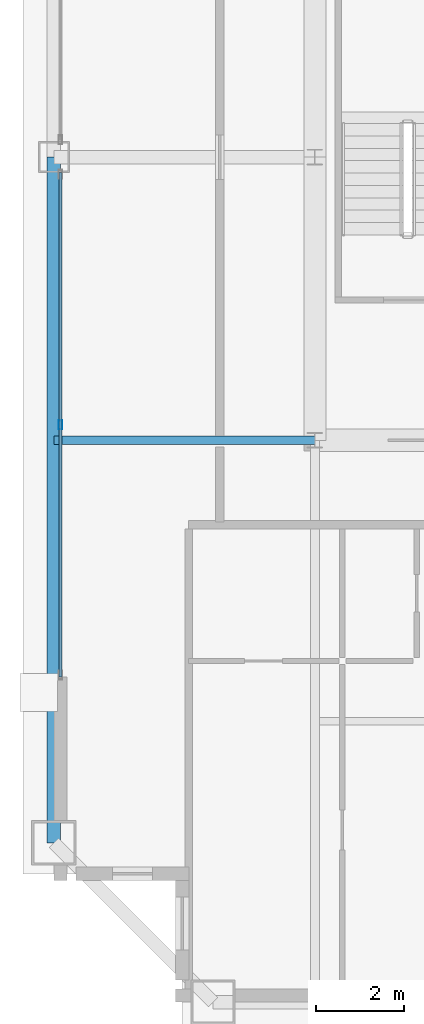
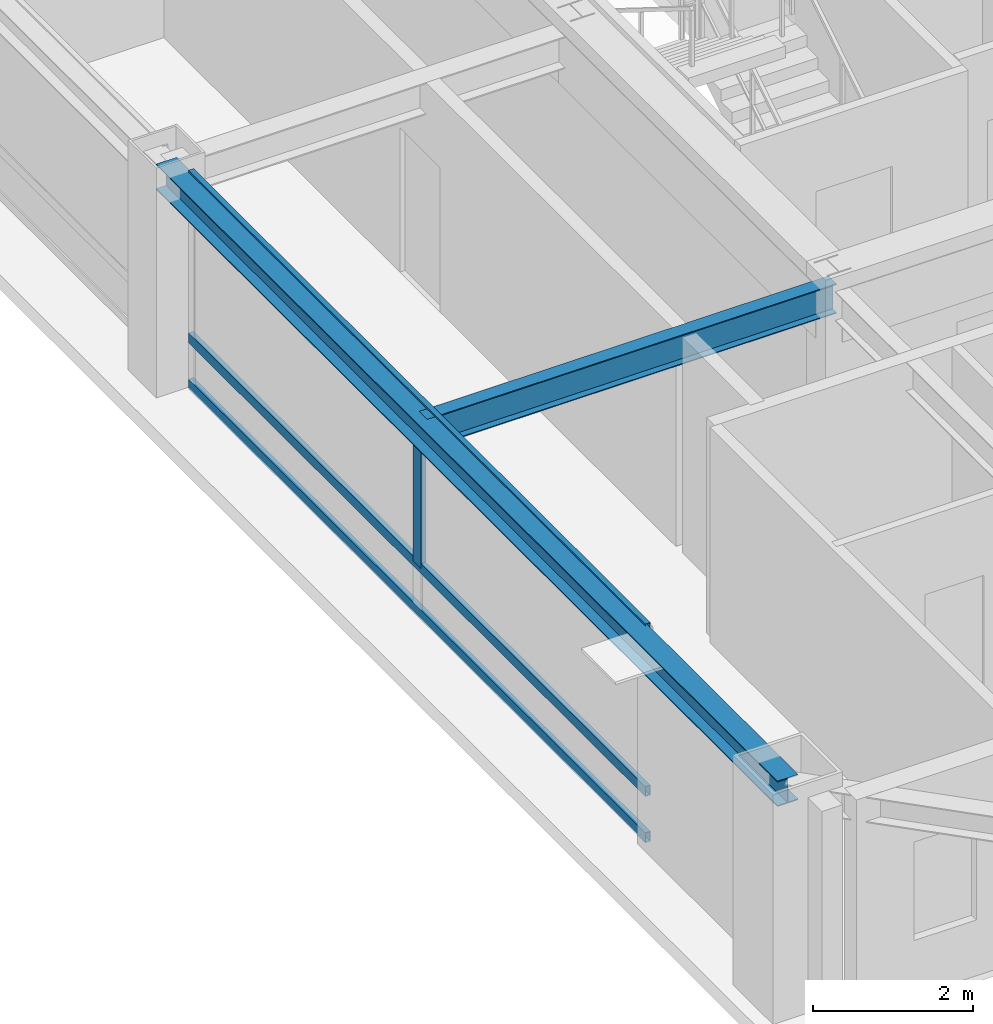
# One storey, part 6 of 35: 4 members, 2 beams, 1 element without a shape of its own.
"""IFC4 building model written with IfcOpenShell, lengths in metres."""

from ifc_helpers import new_model, si_unit, direction, frame, origin, origin_2d, place, context, subcontext, project, spatial, hollow_rectangle, i_section, extrude, source, transform, mapped, material, layer, layer_set, material_profile, profile_set, type_object, element, aggregate, save


model = new_model("IFC4")

# Units and contexts
model_context = context("Model", 3, precision=1e-05, world=origin(), true_north=direction((0.0, 1.0)))
body_context = subcontext(model_context, "Body", "Model", "MODEL_VIEW")
ifc_project = project(units=[si_unit("LENGTHUNIT", "METRE"), si_unit("AREAUNIT", "SQUARE_METRE"), si_unit("VOLUMEUNIT", "CUBIC_METRE"), si_unit("PLANEANGLEUNIT", "RADIAN"), si_unit("MASSUNIT", "GRAM", prefix="KILO"), si_unit("THERMODYNAMICTEMPERATUREUNIT", "KELVIN"), si_unit("POWERUNIT", "WATT")], contexts=[model_context])

# Site, building, storey
site_placement = place(None, origin())
site = spatial("IfcSite", under=ifc_project, at=site_placement, CompositionType="ELEMENT")
building_placement = place(site_placement, origin())
building = spatial("IfcBuilding", under=site, at=building_placement, Name="Yuzanri Waterfront Tower", CompositionType="ELEMENT")
storey_placement = place(building_placement, frame((0.0, 0.0, 332.199951171875)))
storey = spatial("IfcBuildingStorey", under=building, at=storey_placement, Name="L89", CompositionType="ELEMENT", Elevation=332.199951171875)

# Beams
ifc_material_1 = material(Name="Steel Q355B", Category="steel")
ifc_material_profile_1 = material_profile(ifc_material_1, i_section(OverallWidth=0.300048828125, OverallDepth=0.389892578125, WebThickness=0.010009765625, FlangeThickness=0.01611328125, at=origin_2d()), Name="HM 390x300x10x16")
ifc_profile_set_1 = profile_set([ifc_material_profile_1], Name="Steel Q355B")
beam_type_1 = type_object("IfcBeamType", Name="Perimeter Spandrel Q355B HM 390x300", PredefinedType="SPANDREL", material=ifc_profile_set_1)
shared_shape_1 = source(origin(), body_context, "Body", "SweptSolid", [
    extrude(i_section(OverallWidth=0.300048828125, OverallDepth=0.389892578125, WebThickness=0.010009765625, FlangeThickness=0.01611328125, at=origin_2d()), origin(), (0.0, 0.0, 1.0), 15.5),
])
beam_1_placement = place(storey_placement, frame((17.89990234375, 25.800048828125, 3.0849609375), z_axis=(0.0, -1.0, 0.0), x_axis=(1.0, 0.0, 0.0)))
element("IfcBeam", 1, at=beam_1_placement, inside=storey, type_object=beam_type_1, Name="L89 Perimeter Spandrel W2-W1", PredefinedType="SPANDREL", context=body_context, shape_type="MappedRepresentation", body=[
    mapped(shared_shape_1, transform((0.0, 0.0, 0.0), scale=1.0)),
])
ifc_material_2 = material(Name="Steel Q355B", Category="steel")
ifc_material_profile_2 = material_profile(ifc_material_2, i_section(OverallWidth=0.199951171875, OverallDepth=0.449951171875, WebThickness=0.009033203125, FlangeThickness=0.013916015625, at=origin_2d()), Name="HN 450x200x9x14")
ifc_profile_set_2 = profile_set([ifc_material_profile_2], Name="Steel Q355B")
beam_type_2 = type_object("IfcBeamType", Name="Secondary Floor Beam Q355B HN 450x200", PredefinedType="BEAM", material=ifc_profile_set_2)
shared_shape_2 = source(origin(), body_context, "Body", "SweptSolid", [
    extrude(i_section(OverallWidth=0.199951171875, OverallDepth=0.449951171875, WebThickness=0.009033203125, FlangeThickness=0.013916015625, at=origin_2d()), origin(), (0.0, 0.0, 1.0), 5.900146484375),
])
beam_2_placement = place(storey_placement, frame((23.800048828125, 19.39990234375, 3.054931640625), z_axis=(-1.0, 0.0, 0.0), x_axis=(0.0, -1.0, 0.0)))
element("IfcBeam", 2, at=beam_2_placement, inside=storey, type_object=beam_type_2, Name="L89 West-South Core Line Beam", PredefinedType="BEAM", context=body_context, shape_type="MappedRepresentation", body=[
    mapped(shared_shape_2, transform((0.0, 0.0, 0.0), scale=1.0)),
])

# Curtain wall, members
ifc_material_3 = material(Name="Anodized Architectural Bronze", Category="metal")
ifc_layer = layer(ifc_material_3, 0.159912109375)
ifc_layer_set = layer_set([ifc_layer], Name="Anodized Architectural Bronze")
curtain_wall_type = type_object("IfcCurtainWallType", Name="Anodized Bronze High-Rise Penthouse High-Wind Unitized Curtain Wall 6900", PredefinedType="NOTDEFINED", material=ifc_layer_set)
curtain_wall_placement = place(storey_placement, origin())
curtain_wall = element("IfcCurtainWall", 3, at=curtain_wall_placement, inside=storey, type_object=curtain_wall_type, Name="L89 Curtain Wall CW-L89-WL", PredefinedType="NOTDEFINED")
ifc_material_4 = material(Name="Anodized Architectural Bronze", Category="metal")
ifc_material_profile_3 = material_profile(ifc_material_4, hollow_rectangle(XDim=0.074951171875, YDim=0.199951171875, WallThickness=0.00390625, at=origin_2d()), Name="CWM 75x200")
ifc_profile_set_3 = profile_set([ifc_material_profile_3], Name="Anodized Architectural Bronze")
member_type_1 = type_object("IfcMemberType", Name="Anodized Bronze Primary Curtain-Wall Mullion 75x200", PredefinedType="MULLION", material=ifc_profile_set_3)
shared_shape_3 = source(origin(), body_context, "Body", "SweptSolid", [
    extrude(hollow_rectangle(XDim=0.074951171875, YDim=0.199951171875, WallThickness=0.00390625, at=origin_2d()), origin(), (0.0, 0.0, 1.0), 2.52392578125),
])
member_1_placement = place(storey_placement, frame((18.050048828125, 19.75, 0.756103515625), z_axis=(0.0, 0.0, 1.0), x_axis=(1.0, 0.0, 0.0)))
member_1 = element("IfcMember", 4, at=member_1_placement, type_object=member_type_1, Name="CW-L89-WL Upper Mullion 01", PredefinedType="MULLION", context=body_context, shape_type="MappedRepresentation", body=[
    mapped(shared_shape_3, transform((0.0, 0.0, 0.0), scale=1.0)),
])
ifc_material_5 = material(Name="Anodized Architectural Bronze", Category="metal")
ifc_material_profile_4 = material_profile(ifc_material_5, hollow_rectangle(XDim=0.074951171875, YDim=0.14990234375, WallThickness=0.00390625, at=origin_2d()), Name="CWT 75x150")
ifc_profile_set_4 = profile_set([ifc_material_profile_4], Name="Anodized Architectural Bronze")
member_type_2 = type_object("IfcMemberType", Name="Anodized Bronze Primary Curtain-Wall Transom 75x150", PredefinedType="USERDEFINED", material=ifc_profile_set_4)
shared_shape_4 = source(origin(), body_context, "Body", "SweptSolid", [
    extrude(hollow_rectangle(XDim=0.074951171875, YDim=0.14990234375, WallThickness=0.00390625, at=origin_2d()), origin(), (0.0, 0.0, 1.0), 11.39990234375),
])
member_2_placement = place(storey_placement, frame((18.050048828125, 14.050048828125, 0.050048828125), z_axis=(0.0, 1.0, 0.0), x_axis=(-1.0, 0.0, 0.0)))
member_2 = element("IfcMember", 5, at=member_2_placement, type_object=member_type_2, Name="CW-L89-WL Transom 1", ObjectType="TRANSOM", PredefinedType="USERDEFINED", context=body_context, shape_type="MappedRepresentation", body=[
    mapped(shared_shape_4, transform((0.0, 0.0, 0.0), scale=1.0)),
])
member_3_placement = place(storey_placement, frame((18.050048828125, 14.050048828125, 0.754150390625), z_axis=(0.0, 1.0, 0.0), x_axis=(-1.0, 0.0, 0.0)))
member_3 = element("IfcMember", 6, at=member_3_placement, type_object=member_type_2, Name="CW-L89-WL Transom 2", ObjectType="TRANSOM", PredefinedType="USERDEFINED", context=body_context, shape_type="MappedRepresentation", body=[
    mapped(shared_shape_4, transform((0.0, 0.0, 0.0), scale=1.0)),
])
member_4_placement = place(storey_placement, frame((18.050048828125, 14.050048828125, 3.22998046875), z_axis=(0.0, 1.0, 0.0), x_axis=(-1.0, 0.0, 0.0)))
member_4 = element("IfcMember", 7, at=member_4_placement, type_object=member_type_2, Name="CW-L89-WL Transom 3", ObjectType="TRANSOM", PredefinedType="USERDEFINED", context=body_context, shape_type="MappedRepresentation", body=[
    mapped(shared_shape_4, transform((0.0, 0.0, 0.0), scale=1.0)),
])
aggregate(curtain_wall, [member_1, member_2, member_3, member_4])

save(model, "model.ifc")
